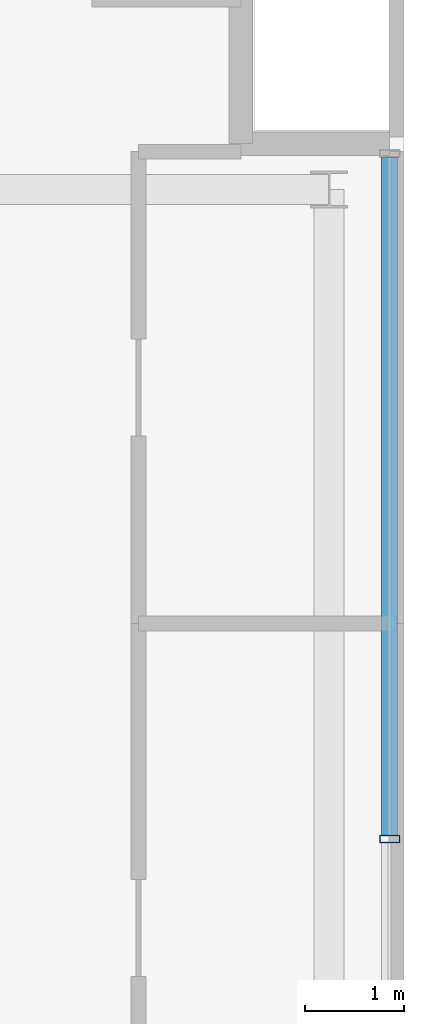
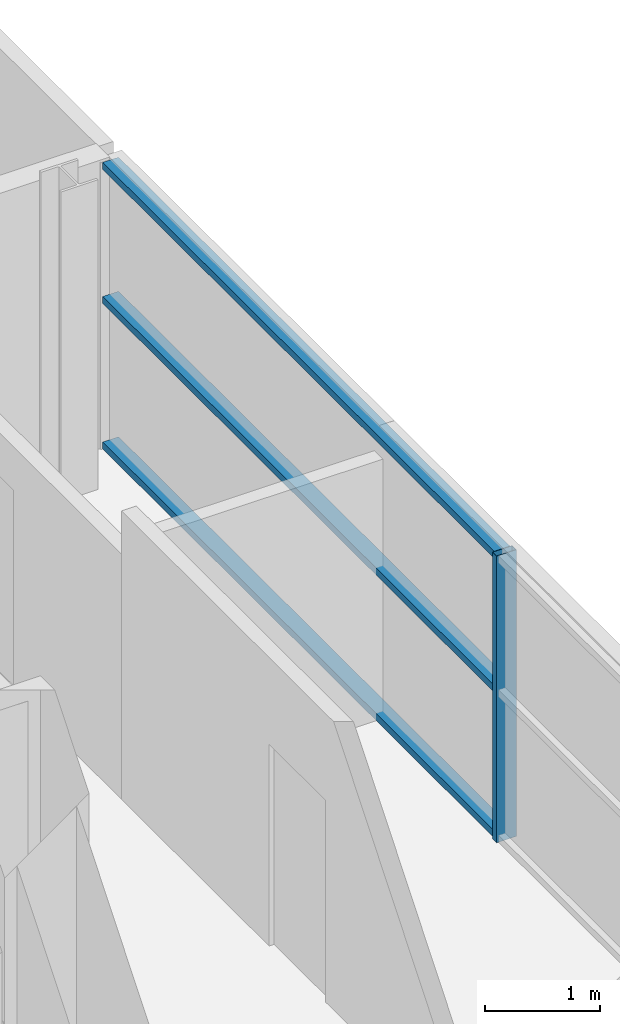
# One storey, part 10 of 24: 4 members, 1 element without a shape of its own.
"""IFC4 building model written with IfcOpenShell, lengths in metres."""

from ifc_helpers import new_model, si_unit, direction, frame, origin, origin_2d, place, context, subcontext, project, spatial, hollow_rectangle, extrude, source, transform, mapped, material, layer, layer_set, material_profile, profile_set, type_object, element, aggregate, save


model = new_model("IFC4")

# Units and contexts
model_context = context("Model", 3, precision=1e-05, world=origin(), true_north=direction((0.0, 1.0)))
body_context = subcontext(model_context, "Body", "Model", "MODEL_VIEW")
ifc_project = project(units=[si_unit("LENGTHUNIT", "METRE"), si_unit("AREAUNIT", "SQUARE_METRE"), si_unit("VOLUMEUNIT", "CUBIC_METRE"), si_unit("PLANEANGLEUNIT", "RADIAN"), si_unit("MASSUNIT", "GRAM", prefix="KILO")], contexts=[model_context])

# Site, building, storey
site_placement = place(None, origin())
site = spatial("IfcSite", under=ifc_project, at=site_placement, CompositionType="ELEMENT")
building_placement = place(site_placement, origin())
building = spatial("IfcBuilding", under=site, at=building_placement, Name="Zarnakvel Exchange Tower", CompositionType="ELEMENT")
storey_placement = place(building_placement, frame((0.0, 0.0, 208.89990234375)))
storey = spatial("IfcBuildingStorey", under=building, at=storey_placement, Name="L58", CompositionType="ELEMENT", Elevation=208.89990234375)

# Curtain wall, members
ifc_material = material(Name="Architectural Bronze Anodised Aluminium", Category="aluminium")
ifc_layer = layer(ifc_material, 0.199951171875)
ifc_layer_set = layer_set([ifc_layer], Name="Architectural Bronze Anodised Aluminium")
curtain_wall_type = type_object("IfcCurtainWallType", Name="CW-04", PredefinedType="NOTDEFINED", material=ifc_layer_set)
curtain_wall_placement = place(storey_placement, origin())
curtain_wall = element("IfcCurtainWall", 1, at=curtain_wall_placement, inside=storey, type_object=curtain_wall_type, Name="L58 Curtain Wall CW-L58-E1 (CW-04)", PredefinedType="NOTDEFINED")
ifc_material_profile_1 = material_profile(ifc_material, hollow_rectangle(XDim=0.199951171875, YDim=0.074951171875, WallThickness=0.0048828125, at=origin_2d()))
ifc_profile_set_1 = profile_set([ifc_material_profile_1], Name="Architectural Bronze Anodised Aluminium")
member_type_1 = type_object("IfcMemberType", Name="CWM-04", PredefinedType="MULLION", material=ifc_profile_set_1)
shared_shape_1 = source(origin(), body_context, "Body", "SweptSolid", [
    extrude(hollow_rectangle(XDim=0.199951171875, YDim=0.074951171875, WallThickness=0.0048828125, at=origin_2d()), origin(), (0.0, 0.0, 1.0), 3.05517578125),
])
member_1_placement = place(storey_placement, frame((19.4599609375, 6.949951171875, 0.0), z_axis=(0.0, 0.0, 1.0), x_axis=(-1.0, 0.0, 0.0)))
member_1 = element("IfcMember", 2, at=member_1_placement, type_object=member_type_1, Name="CW-04 mullion 4", PredefinedType="MULLION", context=body_context, shape_type="MappedRepresentation", body=[
    mapped(shared_shape_1, transform((0.0, 0.0, 0.0), x_axis=(1.0, 0.0, 0.0), y_axis=(0.0, 1.0, 0.0), z_axis=(0.0, 0.0, 1.0), scale=1.0)),
])
ifc_material_profile_2 = material_profile(ifc_material, hollow_rectangle(XDim=0.159912109375, YDim=0.074951171875, WallThickness=0.00390625, at=origin_2d()))
ifc_profile_set_2 = profile_set([ifc_material_profile_2], Name="Architectural Bronze Anodised Aluminium")
member_type_2 = type_object("IfcMemberType", Name="CWT-04", PredefinedType="USERDEFINED", material=ifc_profile_set_2)
shared_shape_2 = source(origin(), body_context, "Body", "SweptSolid", [
    extrude(hollow_rectangle(XDim=0.159912109375, YDim=0.074951171875, WallThickness=0.00390625, at=origin_2d()), origin(), (0.0, 0.0, 1.0), 6.83740234375),
])
member_2_placement = place(storey_placement, frame((19.4599609375, 6.987548828125, 0.03759765625), z_axis=(0.0, 1.0, 0.0), x_axis=(-1.0, 0.0, 0.0)))
member_2 = element("IfcMember", 3, at=member_2_placement, type_object=member_type_2, Name="CW-04 transom 4.1", ObjectType="TRANSOM", PredefinedType="USERDEFINED", context=body_context, shape_type="MappedRepresentation", body=[
    mapped(shared_shape_2, transform((0.0, 0.0, 0.0), x_axis=(1.0, 0.0, 0.0), y_axis=(0.0, 1.0, 0.0), z_axis=(0.0, 0.0, 1.0), scale=1.0)),
])
member_3_placement = place(storey_placement, frame((19.4599609375, 6.987548828125, 1.588623046875), z_axis=(0.0, 1.0, 0.0), x_axis=(-1.0, 0.0, 0.0)))
member_3 = element("IfcMember", 4, at=member_3_placement, type_object=member_type_2, Name="CW-04 transom 4.2", ObjectType="TRANSOM", PredefinedType="USERDEFINED", context=body_context, shape_type="MappedRepresentation", body=[
    mapped(shared_shape_2, transform((0.0, 0.0, 0.0), x_axis=(1.0, 0.0, 0.0), y_axis=(0.0, 1.0, 0.0), z_axis=(0.0, 0.0, 1.0), scale=1.0)),
])
member_4_placement = place(storey_placement, frame((19.4599609375, 6.987548828125, 3.017578125), z_axis=(0.0, 1.0, 0.0), x_axis=(-1.0, 0.0, 0.0)))
member_4 = element("IfcMember", 5, at=member_4_placement, type_object=member_type_2, Name="CW-04 transom 4.3", ObjectType="TRANSOM", PredefinedType="USERDEFINED", context=body_context, shape_type="MappedRepresentation", body=[
    mapped(shared_shape_2, transform((0.0, 0.0, 0.0), x_axis=(1.0, 0.0, 0.0), y_axis=(0.0, 1.0, 0.0), z_axis=(0.0, 0.0, 1.0), scale=1.0)),
])
aggregate(curtain_wall, [member_1, member_2, member_3, member_4])

save(model, "model.ifc")
